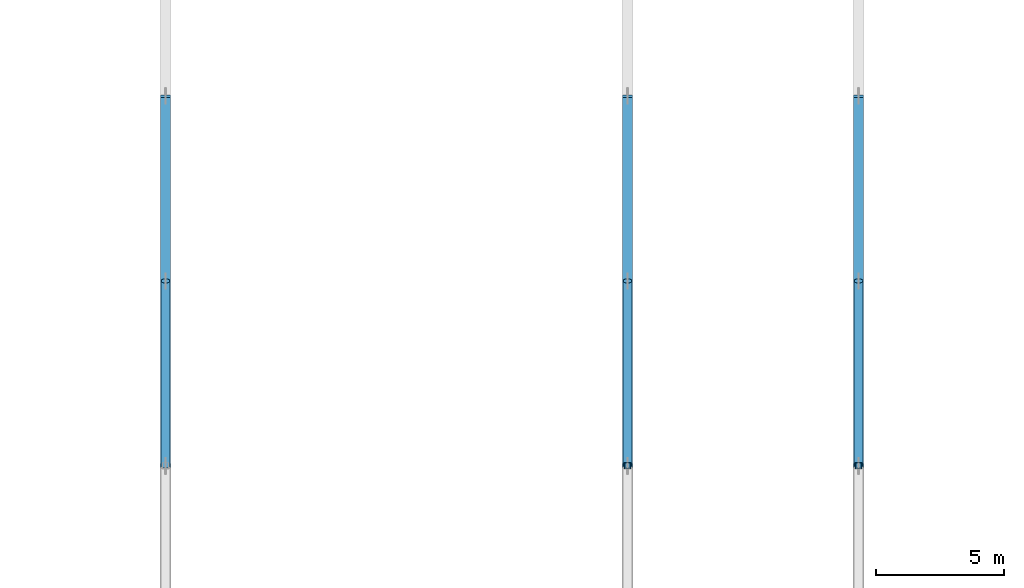
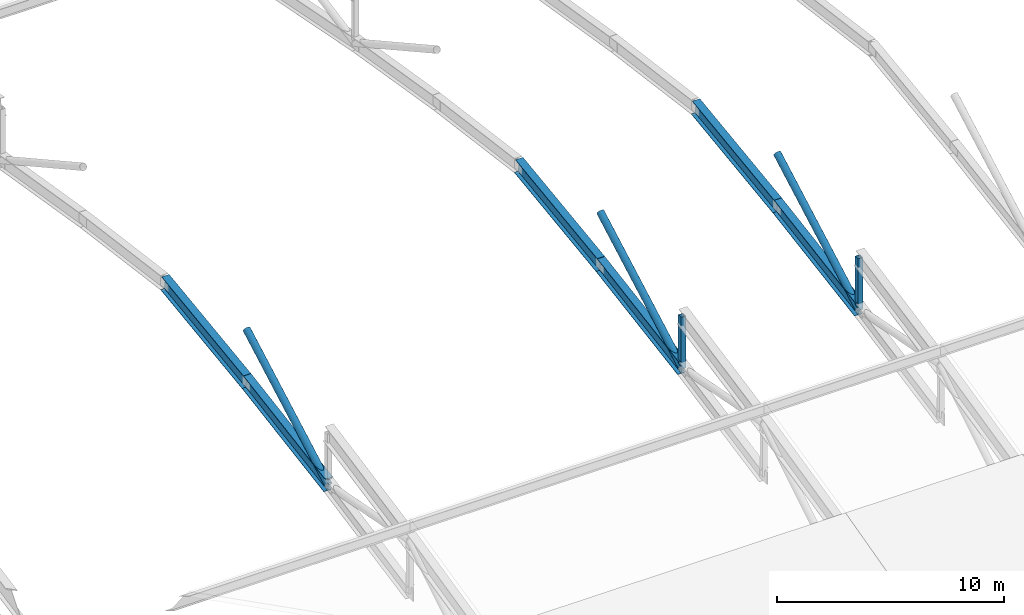
# One storey, part 17 of 124: 11 members.
"""IFC4 building model written with IfcOpenShell, lengths in metres."""

from ifc_helpers import new_model, si_unit, direction, frame, origin, origin_2d, place, context, subcontext, project, spatial, hollow_rectangle, hollow_circle, i_section, extrude, material, material_profile, profile_set, type_object, element, save


model = new_model("IFC4")

# Units and contexts
model_context = context("Model", 3, precision=1e-05, world=origin(), true_north=direction((0.0, 1.0)))
body_context = subcontext(model_context, "Body", "Model", "MODEL_VIEW")
ifc_project = project(units=[si_unit("LENGTHUNIT", "METRE"), si_unit("AREAUNIT", "SQUARE_METRE"), si_unit("VOLUMEUNIT", "CUBIC_METRE"), si_unit("PLANEANGLEUNIT", "RADIAN"), si_unit("MASSUNIT", "GRAM", prefix="KILO")], contexts=[model_context])

# Site, building, storey
site_placement = place(None, origin())
site = spatial("IfcSite", under=ifc_project, at=site_placement, CompositionType="ELEMENT")
building_placement = place(site_placement, origin())
building = spatial("IfcBuilding", under=site, at=building_placement, Name="Celestram Park Convention Centre", CompositionType="ELEMENT")
storey_placement = place(building_placement, frame((0.0, 0.0, 15.300048828125)))
storey = spatial("IfcBuildingStorey", under=building, at=storey_placement, Name="L03", CompositionType="ELEMENT", Elevation=15.300048828125)

# Members
ifc_material_1 = material(Name="Steel ASTM A500 Grade C", Category="steel")
ifc_material_profile_1 = material_profile(ifc_material_1, hollow_circle(Radius=0.177978515625, WallThickness=0.011962890625, at=origin_2d()), Name="CHS356X12")
ifc_profile_set_1 = profile_set([ifc_material_profile_1], Name="Steel ASTM A500 Grade C")
member_type_1 = type_object("IfcMemberType", Name="STR-BRC-CHS356", PredefinedType="BRACE", material=ifc_profile_set_1)
for number, where, z_axis, x_axis, name in (
    (1, (36.0, 50.39990234375, 2.181640625), (0.0, 0.874754026429, 0.484567222629), (-1.0, 0.0, 0.0), "V1 arch web diagonal"),
    (2, (54.0, 50.39990234375, 2.181640625), (0.0, 0.874754026429, 0.484567222629), (-1.0, 0.0, 0.0), "V1 arch web diagonal"),
    (3, (63.0, 50.39990234375, 2.181640625), (0.0, 0.874754026429, 0.484567222629), (-1.0, 0.0, 0.0), "V1 arch web diagonal"),
):
    element("IfcMember", number, at=place(storey_placement, frame(where, z_axis=z_axis, x_axis=x_axis)), inside=storey, type_object=member_type_1, Name=name, PredefinedType="BRACE", context=body_context, shape_type="SweptSolid", body=[
        extrude(hollow_circle(Radius=0.177978515625, WallThickness=0.011962890625, at=origin_2d()), origin(), (0.0, 0.0, 1.0), 8.231201171875),
    ])
ifc_material_2 = material(Name="Steel ASTM A992 Grade 50", Category="steel")
ifc_material_profile_2 = material_profile(ifc_material_2, i_section(OverallWidth=0.381103515625, OverallDepth=0.77197265625, WebThickness=0.0166015625, FlangeThickness=0.027099609375, at=origin_2d()), Name="W30X173")
ifc_profile_set_2 = profile_set([ifc_material_profile_2], Name="Steel ASTM A992 Grade 50")
member_type_2 = type_object("IfcMemberType", Name="STR-CHD-W30X173", PredefinedType="CHORD", material=ifc_profile_set_2)
member_1_placement = place(storey_placement, frame((36.0, 50.39990234375, 2.181640625), z_axis=(0.0, 0.986649508872, 0.162858056734), x_axis=(-1.0, 0.0, 0.0)))
element("IfcMember", 4, at=member_1_placement, inside=storey, type_object=member_type_2, Name="V1 arch bottom chord", PredefinedType="CHORD", context=body_context, shape_type="SweptSolid", body=[
    extrude(i_section(OverallWidth=0.381103515625, OverallDepth=0.77197265625, WebThickness=0.0166015625, FlangeThickness=0.027099609375, at=origin_2d()), origin(), (0.0, 0.0, 1.0), 7.297607421875),
])
member_2_placement = place(storey_placement, frame((36.0, 57.60009765625, 3.3701171875), z_axis=(0.0, 0.991259283276, 0.131928136952), x_axis=(-1.0, 0.0, 0.0)))
element("IfcMember", 5, at=member_2_placement, inside=storey, type_object=member_type_2, Name="V1 arch bottom chord", PredefinedType="CHORD", context=body_context, shape_type="SweptSolid", body=[
    extrude(i_section(OverallWidth=0.381103515625, OverallDepth=0.77197265625, WebThickness=0.0166015625, FlangeThickness=0.027099609375, at=origin_2d()), origin(), (0.0, 0.0, 1.0), 7.263427734375),
])
member_3_placement = place(storey_placement, frame((54.0, 50.39990234375, 2.181640625), z_axis=(0.0, 0.986649508872, 0.162858056734), x_axis=(-1.0, 0.0, 0.0)))
element("IfcMember", 6, at=member_3_placement, inside=storey, type_object=member_type_2, Name="V1 arch bottom chord", PredefinedType="CHORD", context=body_context, shape_type="SweptSolid", body=[
    extrude(i_section(OverallWidth=0.381103515625, OverallDepth=0.77197265625, WebThickness=0.0166015625, FlangeThickness=0.027099609375, at=origin_2d()), origin(), (0.0, 0.0, 1.0), 7.297607421875),
])
member_4_placement = place(storey_placement, frame((54.0, 57.60009765625, 3.3701171875), z_axis=(0.0, 0.991259283276, 0.131928136952), x_axis=(-1.0, 0.0, 0.0)))
element("IfcMember", 7, at=member_4_placement, inside=storey, type_object=member_type_2, Name="V1 arch bottom chord", PredefinedType="CHORD", context=body_context, shape_type="SweptSolid", body=[
    extrude(i_section(OverallWidth=0.381103515625, OverallDepth=0.77197265625, WebThickness=0.0166015625, FlangeThickness=0.027099609375, at=origin_2d()), origin(), (0.0, 0.0, 1.0), 7.263427734375),
])
member_5_placement = place(storey_placement, frame((63.0, 50.39990234375, 2.181640625), z_axis=(0.0, 0.986649508872, 0.162858056734), x_axis=(-1.0, 0.0, 0.0)))
element("IfcMember", 8, at=member_5_placement, inside=storey, type_object=member_type_2, Name="V1 arch bottom chord", PredefinedType="CHORD", context=body_context, shape_type="SweptSolid", body=[
    extrude(i_section(OverallWidth=0.381103515625, OverallDepth=0.77197265625, WebThickness=0.0166015625, FlangeThickness=0.027099609375, at=origin_2d()), origin(), (0.0, 0.0, 1.0), 7.297607421875),
])
member_6_placement = place(storey_placement, frame((63.0, 57.60009765625, 3.3701171875), z_axis=(0.0, 0.991259283276, 0.131928136952), x_axis=(-1.0, 0.0, 0.0)))
element("IfcMember", 9, at=member_6_placement, inside=storey, type_object=member_type_2, Name="V1 arch bottom chord", PredefinedType="CHORD", context=body_context, shape_type="SweptSolid", body=[
    extrude(i_section(OverallWidth=0.381103515625, OverallDepth=0.77197265625, WebThickness=0.0166015625, FlangeThickness=0.027099609375, at=origin_2d()), origin(), (0.0, 0.0, 1.0), 7.263427734375),
])
ifc_material_profile_3 = material_profile(ifc_material_1, hollow_rectangle(XDim=0.25, YDim=0.25, WallThickness=0.011962890625, at=origin_2d()), Name="HSS250X250X12")
ifc_profile_set_3 = profile_set([ifc_material_profile_3], Name="Steel ASTM A500 Grade C")
member_type_3 = type_object("IfcMemberType", Name="STR-STR-HSS250", PredefinedType="STRUT", material=ifc_profile_set_3)
for number, where, z_axis, x_axis, name in (
    (10, (54.0, 50.39990234375, 2.181640625), (0.0, 0.0, 1.0), (1.0, 0.0, 0.0), "V1 arch vertical strut"),
    (11, (63.0, 50.39990234375, 2.181640625), (0.0, 0.0, 1.0), (1.0, 0.0, 0.0), "V1 arch vertical strut"),
):
    element("IfcMember", number, at=place(storey_placement, frame(where, z_axis=z_axis, x_axis=x_axis)), inside=storey, type_object=member_type_3, Name=name, PredefinedType="STRUT", context=body_context, shape_type="SweptSolid", body=[
        extrude(hollow_rectangle(XDim=0.25, YDim=0.25, WallThickness=0.011962890625, at=origin_2d()), origin(), (0.0, 0.0, 1.0), 2.800048828125),
    ])

save(model, "model.ifc")
